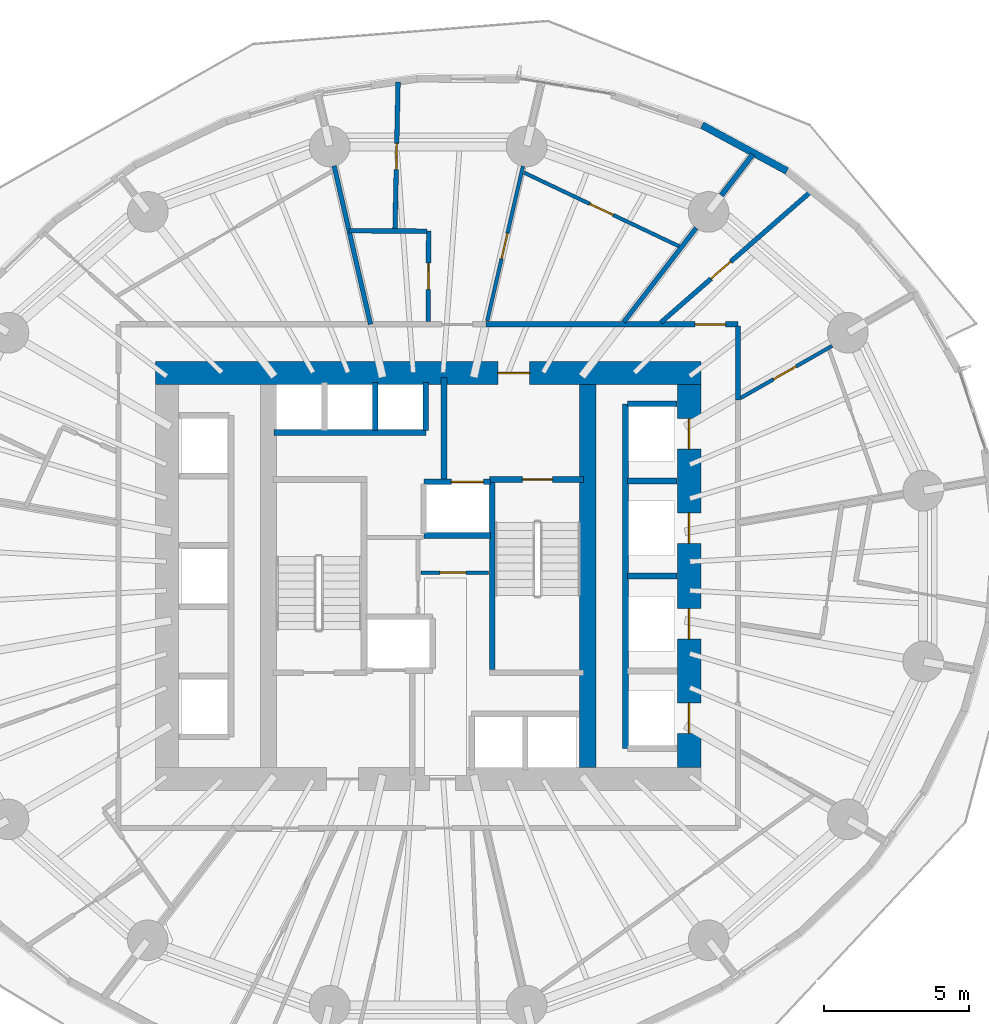
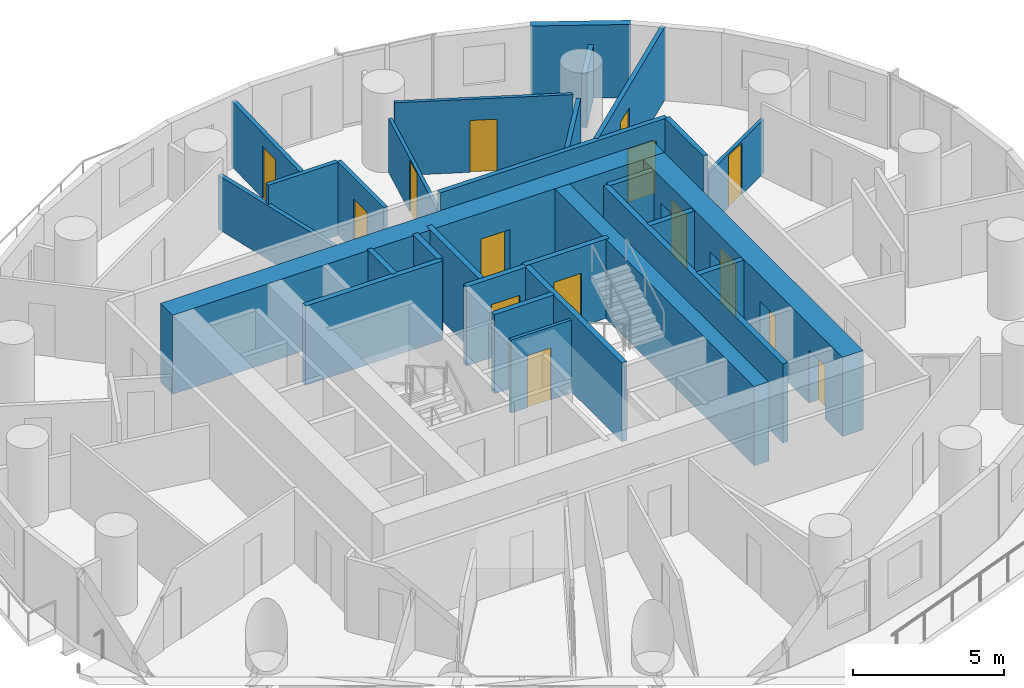
# One storey, part 7 of 13: 29 walls, 15 doors, 15 openings.
"""IFC4 building model written with IfcOpenShell, lengths in metres."""

from ifc_helpers import new_model, si_unit, direction, frame, frame_2d, origin, place, context, subcontext, project, spatial, rectangle, extrude, material, layer, layer_set, type_object, element, fill, save


model = new_model("IFC4")

# Units and contexts
model_context = context("Model", 3, precision=1e-05, world=origin(), true_north=direction((0.0, 1.0)))
body_context = subcontext(model_context, "Body", "Model", "MODEL_VIEW")
ifc_project = project(units=[si_unit("LENGTHUNIT", "METRE"), si_unit("AREAUNIT", "SQUARE_METRE"), si_unit("VOLUMEUNIT", "CUBIC_METRE"), si_unit("PLANEANGLEUNIT", "RADIAN"), si_unit("MASSUNIT", "GRAM", prefix="KILO")], contexts=[model_context])

# Site, building, storey
site_placement = place(None, origin())
site = spatial("IfcSite", under=ifc_project, at=site_placement, CompositionType="ELEMENT")
building_placement = place(site_placement, origin())
building = spatial("IfcBuilding", under=site, at=building_placement, Name="Veldorim Arch Residences", CompositionType="ELEMENT")
storey_placement = place(building_placement, frame((0.0, 0.0, 53.60009765625)))
storey = spatial("IfcBuildingStorey", under=building, at=storey_placement, Name="L15", CompositionType="ELEMENT", Elevation=53.60009765625)

# Wall, opening, door
ifc_material_1 = material(Name="Acoustic Gypsum Board", Category="gypsum")
ifc_layer_1 = layer(ifc_material_1, 0.125, Name="Acoustic Stud Room Partition Wall 125")
ifc_layer_set_1 = layer_set([ifc_layer_1], Name="Acoustic Gypsum Board")
wall_type_1 = type_object("IfcWallType", Name="Acoustic Stud Room Partition Wall 125", PredefinedType="PARTITIONING", material=ifc_layer_set_1)
wall_1_placement = place(storey_placement, frame((31.760009765625, 24.1201171875, 0.0), z_axis=(0.0, 0.0, 1.0), x_axis=(1.0, 0.0, 0.0)))
wall_1 = element("IfcWall", 1, at=wall_1_placement, inside=storey, type_object=wall_type_1, Name="L15 interior wall WL-CA-L15-2", PredefinedType="PARTITIONING", context=body_context, shape_type="SweptSolid", body=[
    extrude(rectangle(XDim=2.320068359375, YDim=0.125, at=frame_2d((1.16015625, 0.0))), origin(), (0.0, 0.0, 1.0), 2.954833984375),
])
opening_1_placement = place(wall_1_placement, frame((0.639892578125, 0.0, 0.0)))
opening_1 = element("IfcOpeningElement", 2, at=opening_1_placement, cuts=wall_1, Name="Opening DR-SVC", PredefinedType="OPENING", context=body_context, shape_type="SweptSolid", body=[
    extrude(rectangle(XDim=0.89990234375, YDim=2.10009765625, at=frame_2d((0.449951171875, 1.050048828125))), frame((0.0, 0.072509765625, 0.0), z_axis=(0.0, -1.0, 0.0), x_axis=(1.0, 0.0, 0.0)), (0.0, 0.0, 1.0), 0.14501953125),
])
ifc_material_2 = material(Name="Fire-Rated Steel", Category="steel")
door_type_1 = type_object("IfcDoorType", Name="Riser, Shelter & Plant Room Rated Steel Door 900x2100", OperationType="SINGLE_SWING_LEFT", PredefinedType="DOOR", material=ifc_material_2)
door_1_placement = place(opening_1_placement, origin())
door_1 = element("IfcDoor", 3, at=door_1_placement, inside=storey, type_object=door_type_1, Name="L15 interior door DR-L15-CA2", OperationType="SINGLE_SWING_RIGHT", OverallHeight=2.10009765625, OverallWidth=0.89990234375, PredefinedType="DOOR", context=body_context, shape_type="SweptSolid", body=[
    extrude(rectangle(XDim=0.89990234375, YDim=2.10009765625, at=frame_2d((0.449951171875, 1.050048828125))), frame((0.0, 0.02490234375, 0.0), z_axis=(0.0, -1.0, 0.0), x_axis=(1.0, 0.0, 0.0)), (0.0, 0.0, 1.0), 0.050048828125),
])
fill(opening_1, door_1)

wall_2_placement = place(storey_placement, frame((45.92529296875, 31.935546875, 0.0), z_axis=(0.0, 0.0, 1.0), x_axis=(-0.868837650683, -0.49509709831, 0.0)))
wall_2 = element("IfcWall", 4, at=wall_2_placement, inside=storey, type_object=wall_type_1, Name="L15 interior wall WL-RES-L15-024", PredefinedType="PARTITIONING", context=body_context, shape_type="SweptSolid", body=[
    extrude(rectangle(XDim=3.63525390625, YDim=0.125, at=frame_2d((1.817626953125, 0.0))), origin(), (0.0, 0.0, 1.0), 2.17822265625),
])
opening_2_placement = place(wall_2_placement, frame((1.42822265625, 0.0, 0.0)))
opening_2 = element("IfcOpeningElement", 5, at=opening_2_placement, cuts=wall_2, Name="Opening DR-INT", PredefinedType="OPENING", context=body_context, shape_type="SweptSolid", body=[
    extrude(rectangle(XDim=0.89990234375, YDim=2.10009765625, at=frame_2d((0.449951171875, 1.050048828125))), frame((0.0, 0.072509765625, 0.0), z_axis=(0.0, -1.0, 0.0), x_axis=(1.0, 0.0, 0.0)), (0.0, 0.0, 1.0), 0.14501953125),
])
ifc_material_3 = material(Name="Engineered Timber", Category="wood")
door_type_2 = type_object("IfcDoorType", Name="Apartment Internal Room Timber Door 900x2100", OperationType="SINGLE_SWING_LEFT", PredefinedType="DOOR", material=ifc_material_3)
door_2_placement = place(opening_2_placement, origin())
door_2 = element("IfcDoor", 6, at=door_2_placement, inside=storey, type_object=door_type_2, Name="L15 interior door DR-RES-L15-013", OperationType="SINGLE_SWING_LEFT", OverallHeight=2.10009765625, OverallWidth=0.89990234375, PredefinedType="DOOR", context=body_context, shape_type="SweptSolid", body=[
    extrude(rectangle(XDim=0.89990234375, YDim=2.10009765625, at=frame_2d((0.449951171875, 1.050048828125))), frame((0.0, 0.02490234375, 0.0), z_axis=(0.0, -1.0, 0.0), x_axis=(1.0, 0.0, 0.0)), (0.0, 0.0, 1.0), 0.050048828125),
])
fill(opening_2, door_2)

wall_3_placement = place(storey_placement, frame((35.269775390625, 38.131591796875, 0.0), z_axis=(0.0, 0.0, 1.0), x_axis=(-0.225429323741, -0.974259523945, 0.0)))
wall_3 = element("IfcWall", 7, at=wall_3_placement, inside=storey, type_object=wall_type_1, Name="L15 interior wall WL-RES-L15-028", PredefinedType="PARTITIONING", context=body_context, shape_type="SweptSolid", body=[
    extrude(rectangle(XDim=5.4755859375, YDim=0.125, at=frame_2d((2.73779296875, 0.0))), origin(), (0.0, 0.0, 1.0), 2.17822265625),
])
opening_3_placement = place(wall_3_placement, frame((2.373291015625, 0.0, 0.0)))
opening_3 = element("IfcOpeningElement", 8, at=opening_3_placement, cuts=wall_3, Name="Opening DR-INT", PredefinedType="OPENING", context=body_context, shape_type="SweptSolid", body=[
    extrude(rectangle(XDim=0.89990234375, YDim=2.10009765625, at=frame_2d((0.449951171875, 1.050048828125))), frame((0.0, 0.072509765625, 0.0), z_axis=(0.0, -1.0, 0.0), x_axis=(1.0, 0.0, 0.0)), (0.0, 0.0, 1.0), 0.14501953125),
])
door_3_placement = place(opening_3_placement, origin())
door_3 = element("IfcDoor", 9, at=door_3_placement, inside=storey, type_object=door_type_2, Name="L15 interior door DR-RES-L15-017", OperationType="SINGLE_SWING_LEFT", OverallHeight=2.10009765625, OverallWidth=0.89990234375, PredefinedType="DOOR", context=body_context, shape_type="SweptSolid", body=[
    extrude(rectangle(XDim=0.89990234375, YDim=2.10009765625, at=frame_2d((0.449951171875, 1.050048828125))), frame((0.0, 0.02490234375, 0.0), z_axis=(0.0, -1.0, 0.0), x_axis=(1.0, 0.0, 0.0)), (0.0, 0.0, 1.0), 0.050048828125),
])
fill(opening_3, door_3)

wall_4_placement = place(storey_placement, frame((35.299072265625, 37.911376953125, 0.0), z_axis=(0.0, 0.0, 1.0), x_axis=(0.903280297513, -0.429050934185, 0.0)))
wall_4 = element("IfcWall", 10, at=wall_4_placement, inside=storey, type_object=wall_type_1, Name="L15 interior wall WL-RES-L15-032", PredefinedType="PARTITIONING", context=body_context, shape_type="SweptSolid", body=[
    extrude(rectangle(XDim=5.927978515625, YDim=0.125, at=frame_2d((2.9638671875, 0.0))), origin(), (0.0, 0.0, 1.0), 2.954833984375),
])
opening_4_placement = place(wall_4_placement, frame((2.51416015625, 0.0, 0.0)))
opening_4 = element("IfcOpeningElement", 11, at=opening_4_placement, cuts=wall_4, Name="Opening DR-INT", PredefinedType="OPENING", context=body_context, shape_type="SweptSolid", body=[
    extrude(rectangle(XDim=0.89990234375, YDim=2.10009765625, at=frame_2d((0.449951171875, 1.050048828125))), frame((0.0, 0.072509765625, 0.0), z_axis=(0.0, -1.0, 0.0), x_axis=(1.0, 0.0, 0.0)), (0.0, 0.0, 1.0), 0.14501953125),
])
door_4_placement = place(opening_4_placement, origin())
door_4 = element("IfcDoor", 12, at=door_4_placement, inside=storey, type_object=door_type_2, Name="L15 interior door DR-RES-L15-018", OperationType="SINGLE_SWING_RIGHT", OverallHeight=2.10009765625, OverallWidth=0.89990234375, PredefinedType="DOOR", context=body_context, shape_type="SweptSolid", body=[
    extrude(rectangle(XDim=0.89990234375, YDim=2.10009765625, at=frame_2d((0.449951171875, 1.050048828125))), frame((0.0, 0.02490234375, 0.0), z_axis=(0.0, -1.0, 0.0), x_axis=(1.0, 0.0, 0.0)), (0.0, 0.0, 1.0), 0.050048828125),
])
fill(opening_4, door_4)

# Wall
ifc_material_4 = material(Name="Lightweight Masonry Block & Gypsum", Category="masonry")
ifc_layer_2 = layer(ifc_material_4, 0.179931640625, Name="Compartment & Corridor Fire-Rated Party Wall 180")
ifc_layer_set_2 = layer_set([ifc_layer_2], Name="Lightweight Masonry Block & Gypsum")
wall_type_2 = type_object("IfcWallType", Name="Compartment & Corridor Fire-Rated Party Wall 180", PredefinedType="PARTITIONING", material=ifc_layer_set_2)
wall_5_placement = place(storey_placement, frame((42.106201171875, 37.125732421875, 0.0), z_axis=(0.0, 0.0, 1.0), x_axis=(0.61002145357, 0.792384897752, 0.0)))
element("IfcWall", 13, at=wall_5_placement, inside=storey, type_object=wall_type_2, Name="L15 interior wall WL-PIER-L15-03", PredefinedType="PARTITIONING", context=body_context, shape_type="SweptSolid", body=[
    extrude(rectangle(XDim=1.78466796875, YDim=0.179931640625, at=frame_2d((0.892333984375, 0.0))), origin(), (0.0, 0.0, 1.0), 2.17822265625),
])

# Wall, opening, door
wall_6_placement = place(storey_placement, frame((33.98828125, 32.679931640625, 0.0), z_axis=(0.0, 0.0, 1.0), x_axis=(1.0, 0.0, 0.0)))
wall_6 = element("IfcWall", 14, at=wall_6_placement, inside=storey, type_object=wall_type_2, Name="L15 interior wall WL-RES-L15-004", PredefinedType="PARTITIONING", context=body_context, shape_type="SweptSolid", body=[
    extrude(rectangle(XDim=8.691650390625, YDim=0.179931640625, at=frame_2d((4.345703125, 0.0))), origin(), (0.0, 0.0, 1.0), 2.954833984375),
])
opening_5_placement = place(wall_6_placement, frame((7.213134765625, 0.0, 0.0)))
opening_5 = element("IfcOpeningElement", 15, at=opening_5_placement, cuts=wall_6, Name="Opening DR-FLT", PredefinedType="OPENING", context=body_context, shape_type="SweptSolid", body=[
    extrude(rectangle(XDim=1.050048828125, YDim=2.14990234375, at=frame_2d((0.52490234375, 1.074951171875))), frame((0.0, 0.099853515625, 0.0), z_axis=(0.0, -1.0, 0.0), x_axis=(1.0, 0.0, 0.0)), (0.0, 0.0, 1.0), 0.199951171875),
])
ifc_material_5 = material(Name="Fire-Rated Timber", Category="wood")
door_type_3 = type_object("IfcDoorType", Name="Apartment Entrance Solid-Core Fire Door 1050x2150", OperationType="SINGLE_SWING_LEFT", PredefinedType="DOOR", material=ifc_material_5)
door_5_placement = place(opening_5_placement, origin())
door_5 = element("IfcDoor", 16, at=door_5_placement, inside=storey, type_object=door_type_3, Name="L15 interior door DR-RES-L15-011", OperationType="SINGLE_SWING_LEFT", OverallHeight=2.14990234375, OverallWidth=1.050048828125, PredefinedType="DOOR", context=body_context, shape_type="SweptSolid", body=[
    extrude(rectangle(XDim=1.050048828125, YDim=2.14990234375, at=frame_2d((0.52490234375, 1.074951171875))), frame((0.0, 0.02490234375, 0.0), z_axis=(0.0, -1.0, 0.0), x_axis=(1.0, 0.0, 0.0)), (0.0, 0.0, 1.0), 0.050048828125),
])
fill(opening_5, door_5)

# Walls
wall_7_placement = place(storey_placement, frame((42.679931640625, 32.6201171875, 0.0), z_axis=(0.0, 0.0, 1.0), x_axis=(0.0, -1.0, 0.0)))
element("IfcWall", 17, at=wall_7_placement, inside=storey, type_object=wall_type_2, Name="L15 interior wall WL-RES-L15-005", PredefinedType="PARTITIONING", context=body_context, shape_type="SweptSolid", body=[
    extrude(rectangle(XDim=2.553955078125, YDim=0.179931640625, at=frame_2d((1.27685546875, 0.0))), origin(), (0.0, 0.0, 1.0), 2.954833984375),
])
ifc_material_6 = material(Name="Concrete C50/60", Category="concrete")
ifc_layer_3 = layer(ifc_material_6, 0.199951171875, Name="Core Stair & Lift Shaft Enclosure Wall 200")
ifc_layer_set_3 = layer_set([ifc_layer_3], Name="Concrete C50/60")
wall_type_3 = type_object("IfcWallType", Name="Core Stair & Lift Shaft Enclosure Wall 200", PredefinedType="SHEAR", material=ifc_layer_set_3)
wall_8_placement = place(storey_placement, frame((34.2099609375, 20.780029296875, 0.0), z_axis=(0.0, 0.0, 1.0), x_axis=(0.0, 1.0, 0.0)))
element("IfcWall", 18, at=wall_8_placement, inside=storey, type_object=wall_type_3, Name="L15 shaft wall WL-SHF-L15-ST2-W", PredefinedType="SHEAR", context=body_context, shape_type="SweptSolid", body=[
    extrude(rectangle(XDim=6.43994140625, YDim=0.199951171875, at=frame_2d((3.219970703125, 0.0))), origin(), (0.0, 0.0, 1.0), 3.199951171875),
])

# Wall, opening, door
wall_9_placement = place(storey_placement, frame((34.110107421875, 27.330078125, 0.0), z_axis=(0.0, 0.0, 1.0), x_axis=(1.0, 0.0, 0.0)))
wall_9 = element("IfcWall", 19, at=wall_9_placement, inside=storey, type_object=wall_type_3, Name="L15 shaft wall WL-SHF-L15-ST2-N", PredefinedType="SHEAR", context=body_context, shape_type="SweptSolid", body=[
    extrude(rectangle(XDim=3.239990234375, YDim=0.199951171875, at=frame_2d((1.6201171875, 0.0))), origin(), (0.0, 0.0, 1.0), 3.199951171875),
])
opening_6_placement = place(wall_9_placement, frame((1.135009765625, 0.0, 0.0)))
opening_6 = element("IfcOpeningElement", 20, at=opening_6_placement, cuts=wall_9, Name="Opening DR-ST", PredefinedType="OPENING", context=body_context, shape_type="SweptSolid", body=[
    extrude(rectangle(XDim=1.050048828125, YDim=2.14990234375, at=frame_2d((0.52490234375, 1.074951171875))), frame((0.0, 0.10986328125, 0.0), z_axis=(0.0, -1.0, 0.0), x_axis=(1.0, 0.0, 0.0)), (0.0, 0.0, 1.0), 0.219970703125),
])
ifc_material_7 = material(Name="Fire-Rated Steel", Category="steel")
door_type_4 = type_object("IfcDoorType", Name="Exit Staircase Self-Closing Fire Door 1050x2150", OperationType="SINGLE_SWING_LEFT", PredefinedType="DOOR", material=ifc_material_7)
door_6_placement = place(opening_6_placement, origin())
door_6 = element("IfcDoor", 21, at=door_6_placement, inside=storey, type_object=door_type_4, Name="L15 interior door DR-L15-ST2", OperationType="SINGLE_SWING_RIGHT", OverallHeight=2.14990234375, OverallWidth=1.050048828125, PredefinedType="DOOR", context=body_context, shape_type="SweptSolid", body=[
    extrude(rectangle(XDim=1.050048828125, YDim=2.14990234375, at=frame_2d((0.52490234375, 1.074951171875))), frame((0.0, 0.02490234375, 0.0), z_axis=(0.0, -1.0, 0.0), x_axis=(1.0, 0.0, 0.0)), (0.0, 0.0, 1.0), 0.050048828125),
])
fill(opening_6, door_6)

# Wall
wall_10_placement = place(storey_placement, frame((32.550048828125, 27.35009765625, 0.0), z_axis=(0.0, 0.0, 1.0), x_axis=(0.0, 1.0, 0.0)))
element("IfcWall", 22, at=wall_10_placement, inside=storey, type_object=wall_type_3, Name="L15 shaft wall WL-FFL2-L15-W", PredefinedType="SHEAR", context=body_context, shape_type="SweptSolid", body=[
    extrude(rectangle(XDim=3.5, YDim=0.199951171875, at=frame_2d((1.75, 0.0))), origin(), (0.0, 0.0, 1.0), 3.199951171875),
])

# Wall, opening, door
wall_11_placement = place(storey_placement, frame((31.85009765625, 27.25, 0.0), z_axis=(0.0, 0.0, 1.0), x_axis=(1.0, 0.0, 0.0)))
wall_11 = element("IfcWall", 23, at=wall_11_placement, inside=storey, type_object=wall_type_3, Name="L15 shaft wall WL-FL02-L15-N", PredefinedType="SHEAR", context=body_context, shape_type="SweptSolid", body=[
    extrude(rectangle(XDim=2.2998046875, YDim=0.199951171875, at=frame_2d((1.14990234375, 0.0))), origin(), (0.0, 0.0, 1.0), 3.199951171875),
])
opening_7_placement = place(wall_11_placement, frame((0.949951171875, 0.0, 0.0)))
opening_7 = element("IfcOpeningElement", 24, at=opening_7_placement, cuts=wall_11, Name="Opening LD-FF", PredefinedType="OPENING", context=body_context, shape_type="SweptSolid", body=[
    extrude(rectangle(XDim=1.10009765625, YDim=2.14990234375, at=frame_2d((0.550048828125, 1.074951171875))), frame((0.0, 0.10986328125, 0.0), z_axis=(0.0, -1.0, 0.0), x_axis=(1.0, 0.0, 0.0)), (0.0, 0.0, 1.0), 0.219970703125),
])
ifc_material_8 = material(Name="Stainless Steel", Category="steel")
door_type_5 = type_object("IfcDoorType", Name="Firefighting Lift Bi-Parting Sliding Landing Door 1100x2150", OperationType="DOUBLE_DOOR_SLIDING", PredefinedType="DOOR", material=ifc_material_8)
door_7_placement = place(opening_7_placement, origin())
door_7 = element("IfcDoor", 25, at=door_7_placement, inside=storey, type_object=door_type_5, Name="L15 lift landing door LD-L15-FL02", OperationType="DOUBLE_DOOR_SLIDING", OverallHeight=2.14990234375, OverallWidth=1.10009765625, PredefinedType="DOOR", context=body_context, shape_type="SweptSolid", body=[
    extrude(rectangle(XDim=1.10009765625, YDim=2.14990234375, at=frame_2d((0.550048828125, 1.074951171875))), frame((0.0, 0.02490234375, 0.0), z_axis=(0.0, -1.0, 0.0), x_axis=(1.0, 0.0, 0.0)), (0.0, 0.0, 1.0), 0.050048828125),
])
fill(opening_7, door_7)

# Walls
wall_12_placement = place(storey_placement, frame((31.85009765625, 25.39990234375, 0.0), z_axis=(0.0, 0.0, 1.0), x_axis=(1.0, 0.0, 0.0)))
element("IfcWall", 26, at=wall_12_placement, inside=storey, type_object=wall_type_3, Name="L15 shaft wall WL-FL02-L15-S", PredefinedType="SHEAR", context=body_context, shape_type="SweptSolid", body=[
    extrude(rectangle(XDim=2.2998046875, YDim=0.199951171875, at=frame_2d((1.14990234375, 0.0))), origin(), (0.0, 0.0, 1.0), 3.199951171875),
])
wall_13_placement = place(storey_placement, frame((38.800048828125, 18.06005859375, 0.0), z_axis=(0.0, 0.0, 1.0), x_axis=(0.0, 1.0, 0.0)))
element("IfcWall", 27, at=wall_13_placement, inside=storey, type_object=wall_type_3, Name="L15 shaft wall WL-B1-L15-W", PredefinedType="SHEAR", context=body_context, shape_type="SweptSolid", body=[
    extrude(rectangle(XDim=11.8798828125, YDim=0.199951171875, at=frame_2d((5.93994140625, 0.0))), origin(), (0.0, 0.0, 1.0), 3.199951171875),
])
for number, where, z_axis, x_axis, name in (
    (28, (38.8701171875, 29.93994140625, 0.0), (0.0, 0.0, 1.0), (1.0, 0.0, 0.0), "L15 shaft wall WL-B1-L15-N"),
    (29, (38.8701171875, 24.0, 0.0), (0.0, 0.0, 1.0), (1.0, 0.0, 0.0), "L15 shaft wall WL-B1-L15-D2"),
    (30, (38.8701171875, 27.27490234375, 0.0), (0.0, 0.0, 1.0), (1.0, 0.0, 0.0), "L15 shaft wall WL-B1-L15-D3"),
):
    element("IfcWall", number, at=place(storey_placement, frame(where, z_axis=z_axis, x_axis=x_axis)), inside=storey, type_object=wall_type_3, Name=name, PredefinedType="SHEAR", context=body_context, shape_type="SweptSolid", body=[
        extrude(rectangle(XDim=1.7099609375, YDim=0.199951171875, at=frame_2d((0.85498046875, 0.0))), origin(), (0.0, 0.0, 1.0), 3.199951171875),
    ])
wall_14_placement = place(storey_placement, frame((26.679931640625, 28.949951171875, 0.0), z_axis=(0.0, 0.0, 1.0), x_axis=(1.0, 0.0, 0.0)))
element("IfcWall", 31, at=wall_14_placement, inside=storey, type_object=wall_type_3, Name="L15 shaft wall WL-B3-L15-S", PredefinedType="SHEAR", context=body_context, shape_type="SweptSolid", body=[
    extrude(rectangle(XDim=5.239990234375, YDim=0.199951171875, at=frame_2d((2.6201171875, 0.0))), origin(), (0.0, 0.0, 1.0), 3.199951171875),
])
for number, where, z_axis, x_axis, name in (
    (32, (31.919921875, 29.02001953125, 0.0), (0.0, 0.0, 1.0), (0.0, 1.0, 0.0), "L15 shaft wall WL-B3-L15-E"),
    (33, (30.175048828125, 29.02001953125, 0.0), (0.0, 0.0, 1.0), (0.0, 1.0, 0.0), "L15 shaft wall WL-B3-L15-D2"),
):
    element("IfcWall", number, at=place(storey_placement, frame(where, z_axis=z_axis, x_axis=x_axis)), inside=storey, type_object=wall_type_3, Name=name, PredefinedType="SHEAR", context=body_context, shape_type="SweptSolid", body=[
        extrude(rectangle(XDim=1.659912109375, YDim=0.199951171875, at=frame_2d((0.830078125, 0.0))), origin(), (0.0, 0.0, 1.0), 3.199951171875),
    ])
ifc_material_9 = material(Name="Concrete C60/75", Category="concrete")
ifc_layer_4 = layer(ifc_material_9, 0.56005859375, Name="Internal Core Shear Web Wall 560")
ifc_layer_set_4 = layer_set([ifc_layer_4], Name="Concrete C60/75")
wall_type_4 = type_object("IfcWallType", Name="Internal Core Shear Web Wall 560", PredefinedType="SHEAR", material=ifc_layer_set_4)
wall_15_placement = place(storey_placement, frame((37.5, 17.39990234375, 0.0), z_axis=(0.0, 0.0, 1.0), x_axis=(0.0, 1.0, 0.0)))
element("IfcWall", 34, at=wall_15_placement, inside=storey, type_object=wall_type_4, Name="L15 core east internal shear web", PredefinedType="SHEAR", context=body_context, shape_type="SweptSolid", body=[
    extrude(rectangle(XDim=13.2001953125, YDim=0.56005859375, at=frame_2d((6.60009765625, 0.0))), origin(), (0.0, 0.0, 1.0), 3.199951171875),
])

# Wall, opening, door
ifc_material_10 = material(Name="Concrete C60/75", Category="concrete")
ifc_layer_5 = layer(ifc_material_10, 0.800048828125, Name="Lower Central Core Shear Wall 800")
ifc_layer_set_5 = layer_set([ifc_layer_5], Name="Concrete C60/75")
wall_type_5 = type_object("IfcWallType", Name="Lower Central Core Shear Wall 800", PredefinedType="SHEAR", material=ifc_layer_set_5)
wall_16_placement = place(storey_placement, frame((22.60009765625, 31.0, 0.0), z_axis=(0.0, 0.0, 1.0), x_axis=(1.0, 0.0, 0.0)))
wall_16 = element("IfcWall", 35, at=wall_16_placement, inside=storey, type_object=wall_type_5, Name="L15 central core north shear wall", PredefinedType="SHEAR", context=body_context, shape_type="SweptSolid", body=[
    extrude(rectangle(XDim=18.7998046875, YDim=0.800048828125, at=frame_2d((9.39990234375, 0.0))), origin(), (0.0, 0.0, 1.0), 3.199951171875),
])
opening_8_placement = place(wall_16_placement, frame((11.800048828125, 0.0, 0.0)))
opening_8 = element("IfcOpeningElement", 36, at=opening_8_placement, cuts=wall_16, Name="Opening DR-FFL", PredefinedType="OPENING", context=body_context, shape_type="SweptSolid", body=[
    extrude(rectangle(XDim=1.10009765625, YDim=2.14990234375, at=frame_2d((0.550048828125, 1.074951171875))), frame((0.0, 0.409912109375, 0.0), z_axis=(0.0, -1.0, 0.0), x_axis=(1.0, 0.0, 0.0)), (0.0, 0.0, 1.0), 0.820068359375),
])
ifc_material_11 = material(Name="Fire-Rated Steel & Vision Glass", Category="steel")
door_type_6 = type_object("IfcDoorType", Name="Firefighting Lobby Smoke-Stop Fire Door 1100x2150", OperationType="SINGLE_SWING_LEFT", PredefinedType="DOOR", material=ifc_material_11)
door_8_placement = place(opening_8_placement, origin())
door_8 = element("IfcDoor", 37, at=door_8_placement, inside=storey, type_object=door_type_6, Name="L15 interior door DR-L15-FFL2", OperationType="SINGLE_SWING_LEFT", OverallHeight=2.14990234375, OverallWidth=1.10009765625, PredefinedType="DOOR", context=body_context, shape_type="SweptSolid", body=[
    extrude(rectangle(XDim=1.10009765625, YDim=2.14990234375, at=frame_2d((0.550048828125, 1.074951171875))), frame((0.0, 0.02490234375, 0.0), z_axis=(0.0, -1.0, 0.0), x_axis=(1.0, 0.0, 0.0)), (0.0, 0.0, 1.0), 0.050048828125),
])
fill(opening_8, door_8)

# Wall, openings, doors
wall_17_placement = place(storey_placement, frame((41.0, 17.39990234375, 0.0), z_axis=(0.0, 0.0, 1.0), x_axis=(0.0, 1.0, 0.0)))
wall_17 = element("IfcWall", 38, at=wall_17_placement, inside=storey, type_object=wall_type_5, Name="L15 central core east shear wall", PredefinedType="SHEAR", context=body_context, shape_type="SweptSolid", body=[
    extrude(rectangle(XDim=13.2001953125, YDim=0.800048828125, at=frame_2d((6.60009765625, 0.0))), origin(), (0.0, 0.0, 1.0), 3.199951171875),
])
opening_9_placement = place(wall_17_placement, frame((1.175048828125, 0.0, 0.0)))
opening_9 = element("IfcOpeningElement", 39, at=opening_9_placement, cuts=wall_17, Name="Opening LD-PS", PredefinedType="OPENING", context=body_context, shape_type="SweptSolid", body=[
    extrude(rectangle(XDim=1.050048828125, YDim=2.14990234375, at=frame_2d((0.52490234375, 1.074951171875))), frame((0.0, 0.409912109375, 0.0), z_axis=(0.0, -1.0, 0.0), x_axis=(1.0, 0.0, 0.0)), (0.0, 0.0, 1.0), 0.820068359375),
])
opening_10_placement = place(wall_17_placement, frame((4.425048828125, 0.0, 0.0)))
opening_10 = element("IfcOpeningElement", 40, at=opening_10_placement, cuts=wall_17, Name="Opening LD-PS", PredefinedType="OPENING", context=body_context, shape_type="SweptSolid", body=[
    extrude(rectangle(XDim=1.050048828125, YDim=2.14990234375, at=frame_2d((0.52490234375, 1.074951171875))), frame((0.0, 0.409912109375, 0.0), z_axis=(0.0, -1.0, 0.0), x_axis=(1.0, 0.0, 0.0)), (0.0, 0.0, 1.0), 0.820068359375),
])
opening_11_placement = place(wall_17_placement, frame((7.72509765625, 0.0, 0.0)))
opening_11 = element("IfcOpeningElement", 41, at=opening_11_placement, cuts=wall_17, Name="Opening LD-PS", PredefinedType="OPENING", context=body_context, shape_type="SweptSolid", body=[
    extrude(rectangle(XDim=1.050048828125, YDim=2.14990234375, at=frame_2d((0.52490234375, 1.074951171875))), frame((0.0, 0.409912109375, 0.0), z_axis=(0.0, -1.0, 0.0), x_axis=(1.0, 0.0, 0.0)), (0.0, 0.0, 1.0), 0.820068359375),
])
opening_12_placement = place(wall_17_placement, frame((10.97509765625, 0.0, 0.0)))
opening_12 = element("IfcOpeningElement", 42, at=opening_12_placement, cuts=wall_17, Name="Opening LD-PS", PredefinedType="OPENING", context=body_context, shape_type="SweptSolid", body=[
    extrude(rectangle(XDim=1.050048828125, YDim=2.14990234375, at=frame_2d((0.52490234375, 1.074951171875))), frame((0.0, 0.409912109375, 0.0), z_axis=(0.0, -1.0, 0.0), x_axis=(1.0, 0.0, 0.0)), (0.0, 0.0, 1.0), 0.820068359375),
])
ifc_material_12 = material(Name="Stainless Steel", Category="steel")
door_type_7 = type_object("IfcDoorType", Name="Passenger Lift Bi-Parting Sliding Landing Door 1050x2150", OperationType="DOUBLE_DOOR_SLIDING", PredefinedType="DOOR", material=ifc_material_12)
door_9_placement = place(opening_9_placement, origin())
door_9 = element("IfcDoor", 43, at=door_9_placement, inside=storey, type_object=door_type_7, Name="L15 lift landing door LD-L15-PL-01", OperationType="DOUBLE_DOOR_SLIDING", OverallHeight=2.14990234375, OverallWidth=1.050048828125, PredefinedType="DOOR", context=body_context, shape_type="SweptSolid", body=[
    extrude(rectangle(XDim=1.050048828125, YDim=2.14990234375, at=frame_2d((0.52490234375, 1.074951171875))), frame((0.0, 0.02490234375, 0.0), z_axis=(0.0, -1.0, 0.0), x_axis=(1.0, 0.0, 0.0)), (0.0, 0.0, 1.0), 0.050048828125),
])
fill(opening_9, door_9)
door_10_placement = place(opening_10_placement, origin())
door_10 = element("IfcDoor", 44, at=door_10_placement, inside=storey, type_object=door_type_7, Name="L15 lift landing door LD-L15-PL-02", OperationType="DOUBLE_DOOR_SLIDING", OverallHeight=2.14990234375, OverallWidth=1.050048828125, PredefinedType="DOOR", context=body_context, shape_type="SweptSolid", body=[
    extrude(rectangle(XDim=1.050048828125, YDim=2.14990234375, at=frame_2d((0.52490234375, 1.074951171875))), frame((0.0, 0.02490234375, 0.0), z_axis=(0.0, -1.0, 0.0), x_axis=(1.0, 0.0, 0.0)), (0.0, 0.0, 1.0), 0.050048828125),
])
fill(opening_10, door_10)
door_11_placement = place(opening_11_placement, origin())
door_11 = element("IfcDoor", 45, at=door_11_placement, inside=storey, type_object=door_type_7, Name="L15 lift landing door LD-L15-PL-03", OperationType="DOUBLE_DOOR_SLIDING", OverallHeight=2.14990234375, OverallWidth=1.050048828125, PredefinedType="DOOR", context=body_context, shape_type="SweptSolid", body=[
    extrude(rectangle(XDim=1.050048828125, YDim=2.14990234375, at=frame_2d((0.52490234375, 1.074951171875))), frame((0.0, 0.02490234375, 0.0), z_axis=(0.0, -1.0, 0.0), x_axis=(1.0, 0.0, 0.0)), (0.0, 0.0, 1.0), 0.050048828125),
])
fill(opening_11, door_11)
door_12_placement = place(opening_12_placement, origin())
door_12 = element("IfcDoor", 46, at=door_12_placement, inside=storey, type_object=door_type_7, Name="L15 lift landing door LD-L15-PL-04", OperationType="DOUBLE_DOOR_SLIDING", OverallHeight=2.14990234375, OverallWidth=1.050048828125, PredefinedType="DOOR", context=body_context, shape_type="SweptSolid", body=[
    extrude(rectangle(XDim=1.050048828125, YDim=2.14990234375, at=frame_2d((0.52490234375, 1.074951171875))), frame((0.0, 0.02490234375, 0.0), z_axis=(0.0, -1.0, 0.0), x_axis=(1.0, 0.0, 0.0)), (0.0, 0.0, 1.0), 0.050048828125),
])
fill(opening_12, door_12)

# Wall
ifc_material_13 = material(Name="Precast concrete C40/50", Category="concrete")
ifc_layer_6 = layer(ifc_material_13, 0.25, Name="Tower Terracotta Spandrel & Pier Wall 250")
ifc_layer_set_6 = layer_set([ifc_layer_6], Name="Precast concrete C40/50")
wall_type_6 = type_object("IfcWallType", Name="Tower Terracotta Spandrel & Pier Wall 250", PredefinedType="SOLIDWALL", material=ifc_layer_set_6)
wall_18_placement = place(storey_placement, frame((41.447509765625, 39.54638671875, 0.0), z_axis=(0.0, 0.0, 1.0), x_axis=(0.879811992908, -0.475321845843, 0.0)))
element("IfcWall", 47, at=wall_18_placement, inside=storey, type_object=wall_type_6, Name="L15 terracotta facade wall 05", PredefinedType="SOLIDWALL", context=body_context, shape_type="SweptSolid", body=[
    extrude(rectangle(XDim=3.32275390625, YDim=0.25, at=frame_2d((1.661376953125, 0.0))), origin(), (0.0, 0.0, 1.0), 2.9599609375),
])

# Wall, opening, door
ifc_material_14 = material(Name="Moisture-Resistant Gypsum & Stud", Category="gypsum")
ifc_layer_7 = layer(ifc_material_14, 0.159912109375, Name="Wet-Area Moisture-Resistant Plumbing Wall 160")
ifc_layer_set_7 = layer_set([ifc_layer_7], Name="Moisture-Resistant Gypsum & Stud")
wall_type_7 = type_object("IfcWallType", Name="Wet-Area Moisture-Resistant Plumbing Wall 160", PredefinedType="PLUMBINGWALL", material=ifc_layer_set_7)
wall_19_placement = place(storey_placement, frame((40.0283203125, 32.745849609375, 0.0), z_axis=(0.0, 0.0, 1.0), x_axis=(0.753328390337, 0.657644536442, 0.0)))
wall_19 = element("IfcWall", 48, at=wall_19_placement, inside=storey, type_object=wall_type_7, Name="L15 interior wall WL-RES-L15-023", PredefinedType="PLUMBINGWALL", context=body_context, shape_type="SweptSolid", body=[
    extrude(rectangle(XDim=6.87646484375, YDim=0.159912109375, at=frame_2d((3.438232421875, 0.0))), origin(), (0.0, 0.0, 1.0), 2.954833984375),
])
opening_13_placement = place(wall_19_placement, frame((2.288330078125, 0.0, 0.0)))
opening_13 = element("IfcOpeningElement", 49, at=opening_13_placement, cuts=wall_19, Name="Opening DR-WC", PredefinedType="OPENING", context=body_context, shape_type="SweptSolid", body=[
    extrude(rectangle(XDim=0.89990234375, YDim=2.10009765625, at=frame_2d((0.449951171875, 1.050048828125))), frame((0.0, 0.08984375, 0.0), z_axis=(0.0, -1.0, 0.0), x_axis=(1.0, 0.0, 0.0)), (0.0, 0.0, 1.0), 0.179931640625),
])
ifc_material_15 = material(Name="Laminate Timber", Category="wood")
door_type_8 = type_object("IfcDoorType", Name="Bathroom & Accessible WC Moisture-Sealed Door 900x2100", OperationType="SINGLE_SWING_LEFT", PredefinedType="DOOR", material=ifc_material_15)
door_13_placement = place(opening_13_placement, origin())
door_13 = element("IfcDoor", 50, at=door_13_placement, inside=storey, type_object=door_type_8, Name="L15 interior door DR-RES-L15-012", OperationType="SINGLE_SWING_RIGHT", OverallHeight=2.10009765625, OverallWidth=0.89990234375, PredefinedType="DOOR", context=body_context, shape_type="SweptSolid", body=[
    extrude(rectangle(XDim=0.89990234375, YDim=2.10009765625, at=frame_2d((0.449951171875, 1.050048828125))), frame((0.0, 0.02490234375, 0.0), z_axis=(0.0, -1.0, 0.0), x_axis=(1.0, 0.0, 0.0)), (0.0, 0.0, 1.0), 0.050048828125),
])
fill(opening_13, door_13)

# Wall
wall_20_placement = place(storey_placement, frame((38.744140625, 32.75927734375, 0.0), z_axis=(0.0, 0.0, 1.0), x_axis=(0.610079741913, 0.792340020766, 0.0)))
element("IfcWall", 51, at=wall_20_placement, inside=storey, type_object=wall_type_7, Name="L15 interior wall WL-RES-L15-025", PredefinedType="PLUMBINGWALL", context=body_context, shape_type="SweptSolid", body=[
    extrude(rectangle(XDim=4.09228515625, YDim=0.159912109375, at=frame_2d((2.046142578125, 0.0))), origin(), (0.0, 0.0, 1.0), 2.17822265625),
])

# Wall, opening, door
wall_21_placement = place(storey_placement, frame((30.8564453125, 35.896484375, 0.0), z_axis=(0.0, 0.0, 1.0), x_axis=(0.020461052729, 0.999790650747, 0.0)))
wall_21 = element("IfcWall", 52, at=wall_21_placement, inside=storey, type_object=wall_type_7, Name="L15 interior wall WL-RES-L15-027", PredefinedType="PLUMBINGWALL", context=body_context, shape_type="SweptSolid", body=[
    extrude(rectangle(XDim=5.142578125, YDim=0.159912109375, at=frame_2d((2.5712890625, 0.0))), origin(), (0.0, 0.0, 1.0), 2.641357421875),
])
opening_14_placement = place(wall_21_placement, frame((2.121337890625, 0.0, 0.0)))
opening_14 = element("IfcOpeningElement", 53, at=opening_14_placement, cuts=wall_21, Name="Opening DR-WC", PredefinedType="OPENING", context=body_context, shape_type="SweptSolid", body=[
    extrude(rectangle(XDim=0.89990234375, YDim=2.10009765625, at=frame_2d((0.449951171875, 1.050048828125))), frame((0.0, 0.08984375, 0.0), z_axis=(0.0, -1.0, 0.0), x_axis=(1.0, 0.0, 0.0)), (0.0, 0.0, 1.0), 0.179931640625),
])
door_14_placement = place(opening_14_placement, origin())
door_14 = element("IfcDoor", 54, at=door_14_placement, inside=storey, type_object=door_type_8, Name="L15 interior door DR-RES-L15-016", OperationType="SINGLE_SWING_RIGHT", OverallHeight=2.10009765625, OverallWidth=0.89990234375, PredefinedType="DOOR", context=body_context, shape_type="SweptSolid", body=[
    extrude(rectangle(XDim=0.89990234375, YDim=2.10009765625, at=frame_2d((0.449951171875, 1.050048828125))), frame((0.0, 0.02490234375, 0.0), z_axis=(0.0, -1.0, 0.0), x_axis=(1.0, 0.0, 0.0)), (0.0, 0.0, 1.0), 0.050048828125),
])
fill(opening_14, door_14)

wall_22_placement = place(storey_placement, frame((32.00537109375, 32.780029296875, 0.0), z_axis=(0.0, 0.0, 1.0), x_axis=(0.003137239463, 0.999995078852, 0.0)))
wall_22 = element("IfcWall", 55, at=wall_22_placement, inside=storey, type_object=wall_type_7, Name="L15 interior wall WL-RES-L15-029", PredefinedType="PLUMBINGWALL", context=body_context, shape_type="SweptSolid", body=[
    extrude(rectangle(XDim=3.11279296875, YDim=0.159912109375, at=frame_2d((1.556396484375, 0.0))), origin(), (0.0, 0.0, 1.0), 2.954833984375),
])
opening_15_placement = place(wall_22_placement, frame((1.1064453125, 0.0, 0.0)))
opening_15 = element("IfcOpeningElement", 56, at=opening_15_placement, cuts=wall_22, Name="Opening DR-INT", PredefinedType="OPENING", context=body_context, shape_type="SweptSolid", body=[
    extrude(rectangle(XDim=0.89990234375, YDim=2.10009765625, at=frame_2d((0.449951171875, 1.050048828125))), frame((0.0, 0.08984375, 0.0), z_axis=(0.0, -1.0, 0.0), x_axis=(1.0, 0.0, 0.0)), (0.0, 0.0, 1.0), 0.179931640625),
])
door_15_placement = place(opening_15_placement, origin())
door_15 = element("IfcDoor", 57, at=door_15_placement, inside=storey, type_object=door_type_2, Name="L15 interior door DR-RES-L15-019", OperationType="SINGLE_SWING_LEFT", OverallHeight=2.10009765625, OverallWidth=0.89990234375, PredefinedType="DOOR", context=body_context, shape_type="SweptSolid", body=[
    extrude(rectangle(XDim=0.89990234375, YDim=2.10009765625, at=frame_2d((0.449951171875, 1.050048828125))), frame((0.0, 0.02490234375, 0.0), z_axis=(0.0, -1.0, 0.0), x_axis=(1.0, 0.0, 0.0)), (0.0, 0.0, 1.0), 0.050048828125),
])
fill(opening_15, door_15)

# Walls
wall_23_placement = place(storey_placement, frame((31.955078125, 35.89306640625, 0.0), z_axis=(0.0, 0.0, 1.0), x_axis=(-0.999995213607, 0.003093988285, 0.0)))
element("IfcWall", 58, at=wall_23_placement, inside=storey, type_object=wall_type_7, Name="L15 interior wall WL-RES-L15-030", PredefinedType="PLUMBINGWALL", context=body_context, shape_type="SweptSolid", body=[
    extrude(rectangle(XDim=2.682861328125, YDim=0.159912109375, at=frame_2d((1.34130859375, 0.0))), origin(), (0.0, 0.0, 1.0), 2.954833984375),
])
wall_24_placement = place(storey_placement, frame((30.01220703125, 32.680419921875, 0.0), z_axis=(0.0, 0.0, 1.0), x_axis=(-0.223714117404, 0.974654807444, 0.0)))
element("IfcWall", 59, at=wall_24_placement, inside=storey, type_object=wall_type_7, Name="L15 interior wall WL-RES-L15-031", PredefinedType="PLUMBINGWALL", context=body_context, shape_type="SweptSolid", body=[
    extrude(rectangle(XDim=5.60498046875, YDim=0.159912109375, at=frame_2d((2.802490234375, 0.0))), origin(), (0.0, 0.0, 1.0), 2.17822265625),
])

save(model, "model.ifc")
